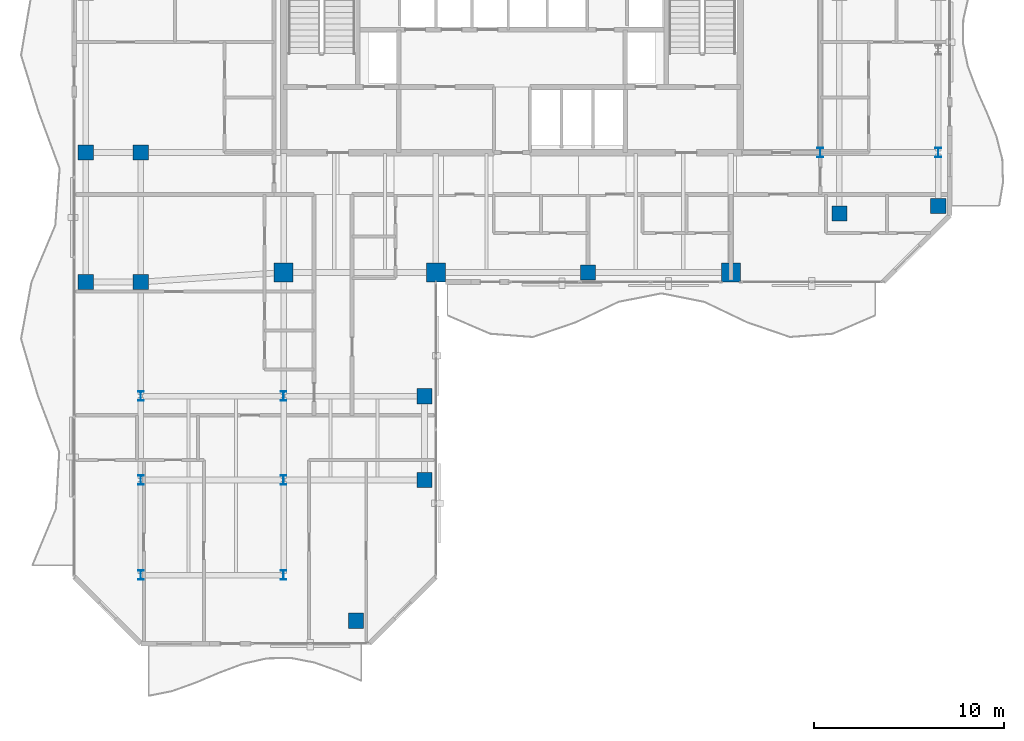
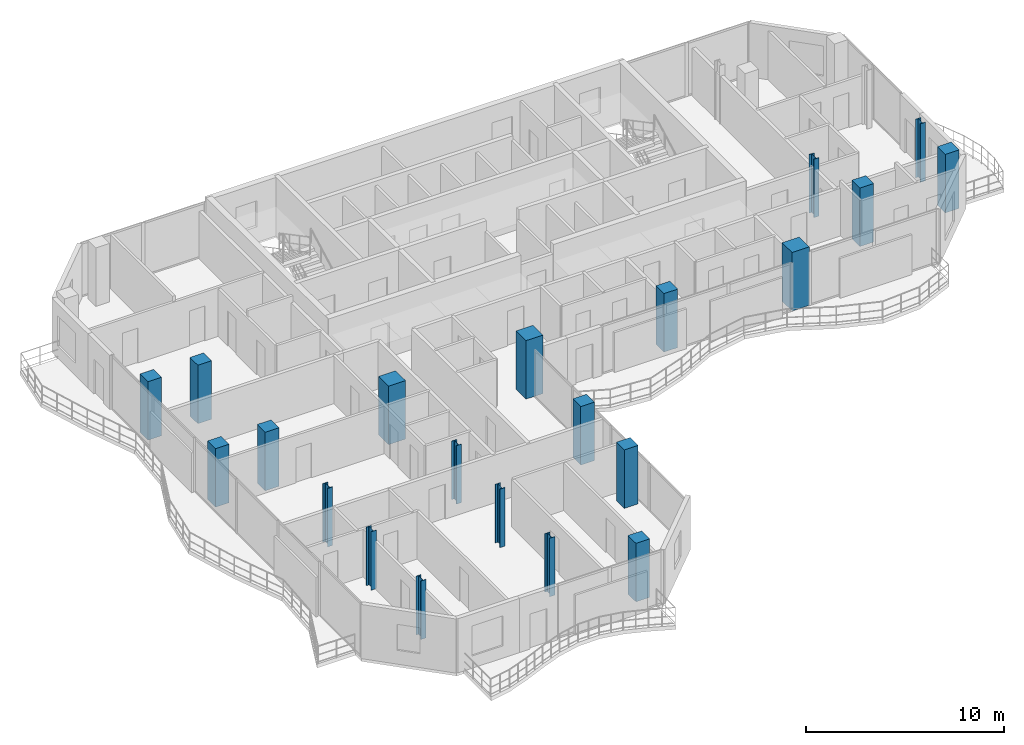
# One storey, part 1 of 24: 21 columns.
"""IFC4 building model written with IfcOpenShell, lengths in metres."""

from ifc_helpers import new_model, si_unit, direction, frame, origin, origin_2d, place, context, subcontext, project, spatial, rectangle, i_section, extrude, material, material_profile, profile_set, type_object, element, save


model = new_model("IFC4")

# Units and contexts
model_context = context("Model", 3, precision=1e-05, world=origin(), true_north=direction((0.0, 1.0)))
body_context = subcontext(model_context, "Body", "Model", "MODEL_VIEW")
ifc_project = project(units=[si_unit("LENGTHUNIT", "METRE"), si_unit("AREAUNIT", "SQUARE_METRE"), si_unit("VOLUMEUNIT", "CUBIC_METRE"), si_unit("PLANEANGLEUNIT", "RADIAN"), si_unit("MASSUNIT", "GRAM", prefix="KILO")], contexts=[model_context])

# Site, building, storey
site_placement = place(None, origin())
site = spatial("IfcSite", under=ifc_project, at=site_placement, CompositionType="ELEMENT")
building_placement = place(site_placement, origin())
building = spatial("IfcBuilding", under=site, at=building_placement, Name="Catumbela Crestline Tower", CompositionType="ELEMENT")
storey_placement = place(building_placement, frame((0.0, 0.0, 154.2)))
storey = spatial("IfcBuildingStorey", under=building, at=storey_placement, Name="L39", CompositionType="ELEMENT", Elevation=154.2)

# Columns
ifc_material_1 = material(Name="Concrete C50/60", Category="concrete")
ifc_material_profile_1 = material_profile(ifc_material_1, rectangle(XDim=1.0, YDim=1.0, at=origin_2d()), Name="RC 1000x1000")
ifc_profile_set_1 = profile_set([ifc_material_profile_1], Name="Concrete C50/60")
column_type_1 = type_object("IfcColumnType", Name="C-RC1000-C50", PredefinedType="COLUMN", material=ifc_profile_set_1)
for number, where, z_axis, x_axis, name in (
    (1, (16.0, 24.5, 0.0), (0.0, 0.0, 1.0), (1.0, 0.0, 0.0), "L39 Column C-16-24 (RC 1000x1000)"),
    (2, (24.0, 24.5, 0.0), (0.0, 0.0, 1.0), (1.0, 0.0, 0.0), "L39 Column C-24-24 (RC 1000x1000)"),
    (3, (39.5, 24.5, 0.0), (0.0, 0.0, 1.0), (1.0, 0.0, 0.0), "L39 Column C-40-24 (RC 1000x1000)"),
):
    element("IfcColumn", number, at=place(storey_placement, frame(where, z_axis=z_axis, x_axis=x_axis)), inside=storey, type_object=column_type_1, Name=name, PredefinedType="COLUMN", context=body_context, shape_type="SweptSolid", body=[
        extrude(rectangle(XDim=1.0, YDim=1.0, at=origin_2d()), origin(), (0.0, 0.0, 1.0), 3.6),
    ])
ifc_material_profile_2 = material_profile(ifc_material_1, rectangle(XDim=0.8, YDim=0.8, at=origin_2d()), Name="RC 800x800")
ifc_profile_set_2 = profile_set([ifc_material_profile_2], Name="Concrete C50/60")
column_type_2 = type_object("IfcColumnType", Name="C-RC800-C50", PredefinedType="COLUMN", material=ifc_profile_set_2)
for number, where, z_axis, x_axis, name in (
    (4, (8.5, 24.0, 0.0), (0.0, 0.0, 1.0), (1.0, 0.0, 0.0), "L39 Column C-08-24 (RC 800x800)"),
    (5, (32.0, 24.5, 0.0), (0.0, 0.0, 1.0), (1.0, 0.0, 0.0), "L39 Column C-32-24 (RC 800x800)"),
    (6, (5.6, 24.0, 0.0), (0.0, 0.0, 1.0), (1.0, 0.0, 0.0), "L39 Column C-05-24 (RC 800x800)"),
    (7, (5.6, 30.8, 0.0), (0.0, 0.0, 1.0), (1.0, 0.0, 0.0), "L39 Column C-05-31 (RC 800x800)"),
    (8, (8.5, 30.8, 0.0), (0.0, 0.0, 1.0), (1.0, 0.0, 0.0), "L39 Column C-08-31 (RC 800x800)"),
    (9, (45.2, 27.6, 0.0), (0.0, 0.0, 1.0), (1.0, 0.0, 0.0), "L39 Column C-46-24 (RC 800x800)"),
    (10, (50.4, 28.0, 0.0), (0.0, 0.0, 1.0), (1.0, 0.0, 0.0), "L39 Column C-51-24 (RC 800x800)"),
    (11, (19.8, 6.2, 0.0), (0.0, 0.0, 1.0), (1.0, 0.0, 0.0), "L39 Column C-24-05 (RC 800x800)"),
    (12, (23.4, 13.6, 0.0), (0.0, 0.0, 1.0), (1.0, 0.0, 0.0), "L39 Column C-24-10 (RC 800x800)"),
    (13, (23.4, 18.0, 0.0), (0.0, 0.0, 1.0), (1.0, 0.0, 0.0), "L39 Column C-24-16 (RC 800x800)"),
):
    element("IfcColumn", number, at=place(storey_placement, frame(where, z_axis=z_axis, x_axis=x_axis)), inside=storey, type_object=column_type_2, Name=name, PredefinedType="COLUMN", context=body_context, shape_type="SweptSolid", body=[
        extrude(rectangle(XDim=0.8, YDim=0.8, at=origin_2d()), origin(), (0.0, 0.0, 1.0), 3.6),
    ])
ifc_material_2 = material(Name="Structural steel S355J2", Category="steel")
ifc_material_profile_3 = material_profile(ifc_material_2, i_section(OverallWidth=0.3, OverallDepth=0.5, WebThickness=0.0145, FlangeThickness=0.028, FilletRadius=0.027, at=origin_2d()), Name="HEB 500")
ifc_profile_set_3 = profile_set([ifc_material_profile_3], Name="Structural steel S355J2")
column_type_3 = type_object("IfcColumnType", Name="C-ST-HEB500", PredefinedType="COLUMN", material=ifc_profile_set_3)
for number, where, z_axis, x_axis, name in (
    (14, (8.5, 8.6, 0.0), (0.0, 0.0, 1.0), (1.0, 0.0, 0.0), "L39 Column CT-05-05 (HEB 500)"),
    (15, (16.0, 8.6, 0.0), (0.0, 0.0, 1.0), (1.0, 0.0, 0.0), "L39 Column CT-14-05 (HEB 500)"),
    (16, (8.5, 13.6, 0.0), (0.0, 0.0, 1.0), (1.0, 0.0, 0.0), "L39 Column CT-05-10 (HEB 500)"),
    (17, (16.0, 13.6, 0.0), (0.0, 0.0, 1.0), (1.0, 0.0, 0.0), "L39 Column CT-14-10 (HEB 500)"),
    (18, (8.5, 18.0, 0.0), (0.0, 0.0, 1.0), (1.0, 0.0, 0.0), "L39 Column CT-05-16 (HEB 500)"),
    (19, (16.0, 18.0, 0.0), (0.0, 0.0, 1.0), (1.0, 0.0, 0.0), "L39 Column CT-14-16 (HEB 500)"),
    (20, (44.2, 30.8, 0.0), (0.0, 0.0, 1.0), (1.0, 0.0, 0.0), "L39 Column CT-46-31 (HEB 500)"),
    (21, (50.4, 30.8, 0.0), (0.0, 0.0, 1.0), (1.0, 0.0, 0.0), "L39 Column CT-51-31 (HEB 500)"),
):
    element("IfcColumn", number, at=place(storey_placement, frame(where, z_axis=z_axis, x_axis=x_axis)), inside=storey, type_object=column_type_3, Name=name, PredefinedType="COLUMN", context=body_context, shape_type="SweptSolid", body=[
        extrude(i_section(OverallWidth=0.3, OverallDepth=0.5, WebThickness=0.0145, FlangeThickness=0.028, FilletRadius=0.027, at=origin_2d()), origin(), (0.0, 0.0, 1.0), 3.6),
    ])

save(model, "model.ifc")
